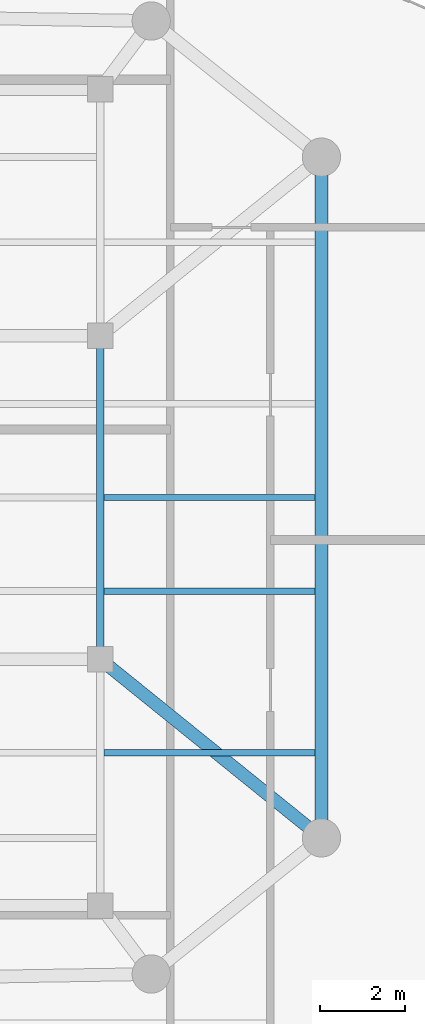
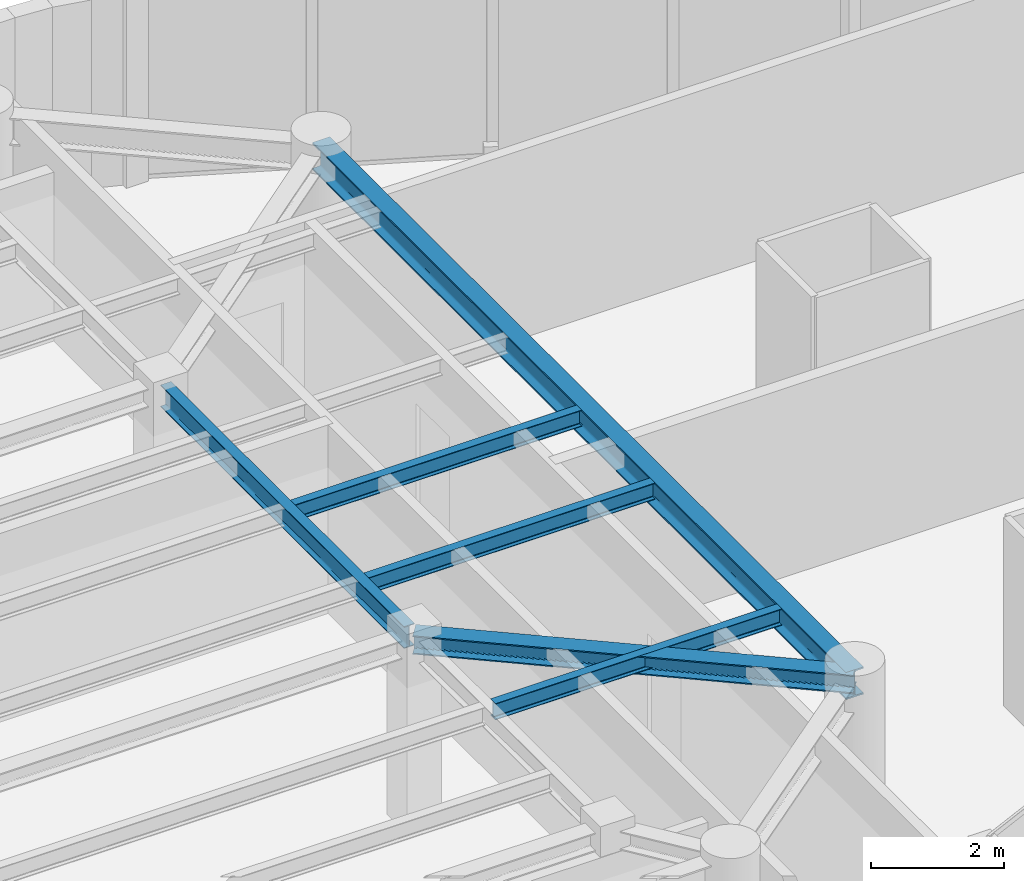
# One storey, part 3 of 13: 6 beams.
"""IFC4 building model written with IfcOpenShell, lengths in metres."""

from ifc_helpers import new_model, si_unit, direction, frame, origin, origin_2d, place, context, subcontext, project, spatial, i_section, extrude, material, material_profile, profile_set, type_object, element, save


model = new_model("IFC4")

# Units and contexts
model_context = context("Model", 3, precision=1e-05, world=origin(), true_north=direction((0.0, 1.0)))
body_context = subcontext(model_context, "Body", "Model", "MODEL_VIEW")
ifc_project = project(units=[si_unit("LENGTHUNIT", "METRE"), si_unit("AREAUNIT", "SQUARE_METRE"), si_unit("VOLUMEUNIT", "CUBIC_METRE"), si_unit("PLANEANGLEUNIT", "RADIAN"), si_unit("MASSUNIT", "GRAM", prefix="KILO")], contexts=[model_context])

# Site, building, storey
site_placement = place(None, origin())
site = spatial("IfcSite", under=ifc_project, at=site_placement, CompositionType="ELEMENT")
building_placement = place(site_placement, origin())
building = spatial("IfcBuilding", under=site, at=building_placement, Name="An Khanh Terracotta Commons", CompositionType="ELEMENT")
storey_placement = place(building_placement, frame((0.0, 0.0, 266.10009765625)))
storey = spatial("IfcBuildingStorey", under=building, at=storey_placement, Name="L69", CompositionType="ELEMENT", Elevation=266.10009765625)

# Beams
ifc_material = material(Name="Steel S355J2", Category="steel")
ifc_material_profile_1 = material_profile(ifc_material, i_section(OverallWidth=0.300048828125, OverallDepth=0.340087890625, WebThickness=0.011962890625, FlangeThickness=0.021484375, FilletRadius=0.027099609375, at=origin_2d()), Name="HEB340")
ifc_profile_set_1 = profile_set([ifc_material_profile_1], Name="Steel S355J2")
beam_type_1 = type_object("IfcBeamType", Name="BM-HEB340", PredefinedType="BEAM", material=ifc_profile_set_1)
beam_1_placement = place(storey_placement, frame((63.39990234375, 16.0, 3.27978515625), z_axis=(-0.777941866883, 0.628336256913, 0.0), x_axis=(-0.628336256913, -0.777941866883, 0.0)))
element("IfcBeam", 1, at=beam_1_placement, inside=storey, type_object=beam_type_1, Name="L69 Mega-Column Tie Girder 3", PredefinedType="BEAM", context=body_context, shape_type="SweptSolid", body=[
    extrude(i_section(OverallWidth=0.300048828125, OverallDepth=0.340087890625, WebThickness=0.011962890625, FlangeThickness=0.021484375, FilletRadius=0.027099609375, at=origin_2d()), origin(), (0.0, 0.0, 1.0), 6.684326171875),
])
ifc_material_profile_2 = material_profile(ifc_material, i_section(OverallWidth=0.300048828125, OverallDepth=0.5, WebThickness=0.014404296875, FlangeThickness=0.028076171875, FilletRadius=0.027099609375, at=origin_2d()), Name="HEB500")
ifc_profile_set_2 = profile_set([ifc_material_profile_2], Name="Steel S355J2")
beam_type_2 = type_object("IfcBeamType", Name="BM-HEB500", PredefinedType="BEAM", material=ifc_profile_set_2)
beam_2_placement = place(storey_placement, frame((63.39990234375, 16.0, 3.199951171875), z_axis=(0.0, 1.0, 0.0), x_axis=(-1.0, 0.0, 0.0)))
element("IfcBeam", 2, at=beam_2_placement, inside=storey, type_object=beam_type_2, Name="L69 Perimeter Ring Spandrel 3", PredefinedType="BEAM", context=body_context, shape_type="SweptSolid", body=[
    extrude(i_section(OverallWidth=0.300048828125, OverallDepth=0.5, WebThickness=0.014404296875, FlangeThickness=0.028076171875, FilletRadius=0.027099609375, at=origin_2d()), origin(), (0.0, 0.0, 1.0), 16.0),
])
ifc_material_profile_3 = material_profile(ifc_material, i_section(OverallWidth=0.14990234375, OverallDepth=0.300048828125, WebThickness=0.007080078125, FlangeThickness=0.0107421875, FilletRadius=0.014892578125, at=origin_2d()), Name="IPE300")
ifc_profile_set_3 = profile_set([ifc_material_profile_3], Name="Steel S355J2")
beam_type_3 = type_object("IfcBeamType", Name="BM-IPE300", PredefinedType="JOIST", material=ifc_profile_set_3)
for number, where, z_axis, x_axis, name in (
    (3, (58.2900390625, 18.0, 3.2998046875), (1.0, 0.0, 0.0), (0.0, 1.0, 0.0), "L69 Riverfront Composite Joist 2"),
    (4, (58.2900390625, 21.800048828125, 3.2998046875), (1.0, 0.0, 0.0), (0.0, 1.0, 0.0), "L69 Riverfront Composite Joist 3"),
    (5, (58.2900390625, 24.0, 3.2998046875), (1.0, 0.0, 0.0), (0.0, 1.0, 0.0), "L69 Riverfront Composite Joist 4"),
):
    element("IfcBeam", number, at=place(storey_placement, frame(where, z_axis=z_axis, x_axis=x_axis)), inside=storey, type_object=beam_type_3, Name=name, PredefinedType="JOIST", context=body_context, shape_type="SweptSolid", body=[
        extrude(i_section(OverallWidth=0.14990234375, OverallDepth=0.300048828125, WebThickness=0.007080078125, FlangeThickness=0.0107421875, FilletRadius=0.014892578125, at=origin_2d()), origin(), (0.0, 0.0, 1.0), 4.9599609375),
    ])
ifc_material_profile_4 = material_profile(ifc_material, i_section(OverallWidth=0.179931640625, OverallDepth=0.39990234375, WebThickness=0.008544921875, FlangeThickness=0.013427734375, FilletRadius=0.02099609375, at=origin_2d()), Name="IPE400")
ifc_profile_set_4 = profile_set([ifc_material_profile_4], Name="Steel S355J2")
beam_type_4 = type_object("IfcBeamType", Name="BM-IPE400", PredefinedType="JOIST", material=ifc_profile_set_4)
beam_3_placement = place(storey_placement, frame((58.199951171875, 20.35009765625, 3.25), z_axis=(0.0, 1.0, 0.0), x_axis=(-1.0, 0.0, 0.0)))
element("IfcBeam", 6, at=beam_3_placement, inside=storey, type_object=beam_type_4, Name="L69 East Spine Girder 2", PredefinedType="JOIST", context=body_context, shape_type="SweptSolid", body=[
    extrude(i_section(OverallWidth=0.179931640625, OverallDepth=0.39990234375, WebThickness=0.008544921875, FlangeThickness=0.013427734375, FilletRadius=0.02099609375, at=origin_2d()), origin(), (0.0, 0.0, 1.0), 7.2998046875),
])

save(model, "model.ifc")
